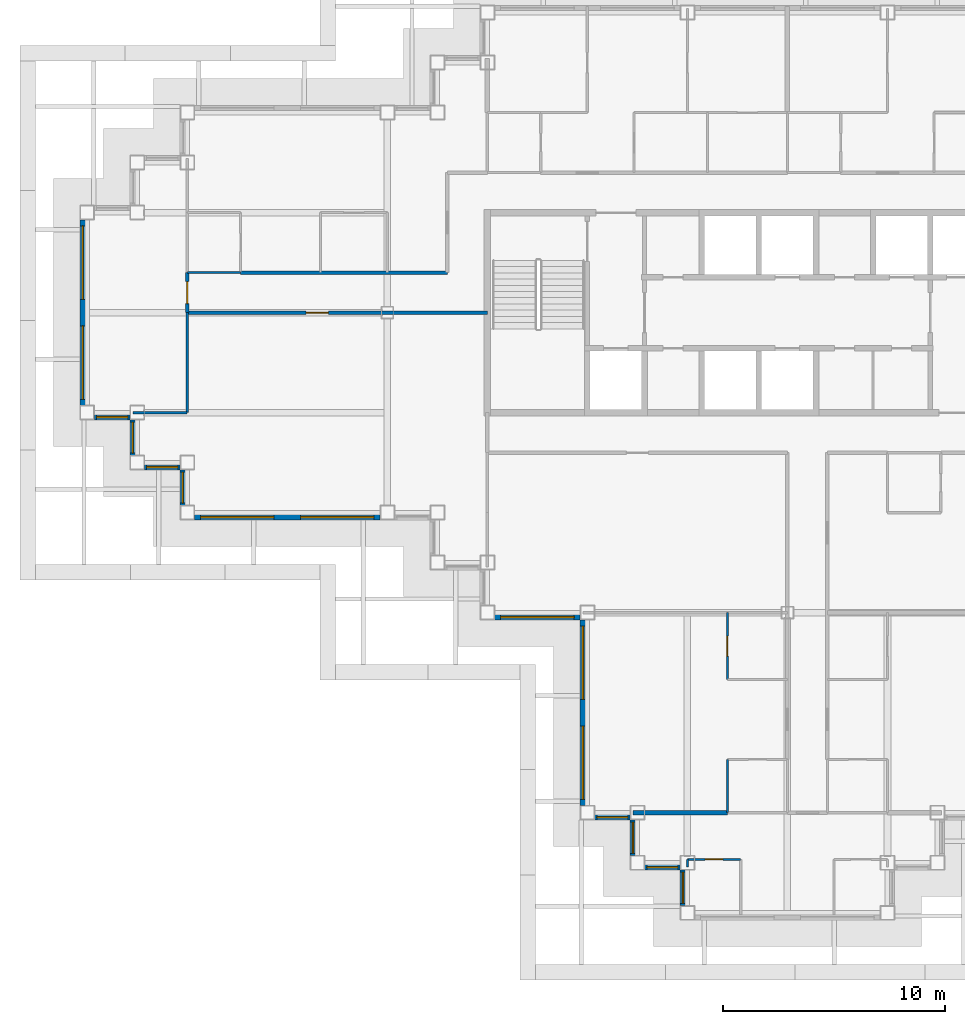
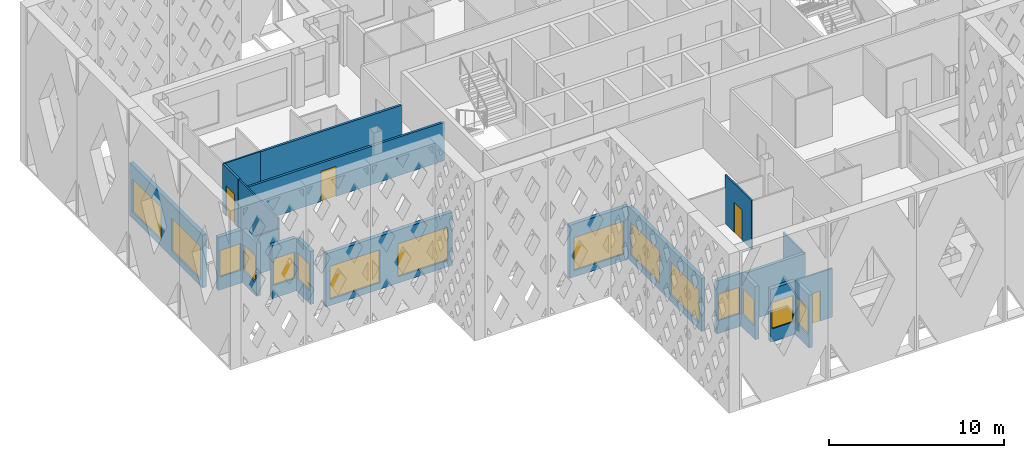
# One storey, part 2 of 17: 23 walls, 15 windows, 4 doors, 19 openings.
"""IFC4 building model written with IfcOpenShell, lengths in metres."""

from ifc_helpers import new_model, si_unit, direction, frame, frame_2d, origin, place, context, subcontext, project, spatial, rectangle, extrude, material, layer, layer_set, type_object, element, fill, save


model = new_model("IFC4")

# Units and contexts
model_context = context("Model", 3, precision=1e-05, world=origin(), true_north=direction((0.0, 1.0)))
body_context = subcontext(model_context, "Body", "Model", "MODEL_VIEW")
ifc_project = project(units=[si_unit("LENGTHUNIT", "METRE"), si_unit("AREAUNIT", "SQUARE_METRE"), si_unit("VOLUMEUNIT", "CUBIC_METRE"), si_unit("PLANEANGLEUNIT", "RADIAN"), si_unit("MASSUNIT", "GRAM", prefix="KILO")], contexts=[model_context])

# Site, building, storey
site_placement = place(None, origin())
site = spatial("IfcSite", under=ifc_project, at=site_placement, CompositionType="ELEMENT")
building_placement = place(site_placement, origin())
building = spatial("IfcBuilding", under=site, at=building_placement, Name="Caravel Reach Hotel and Residences", CompositionType="ELEMENT")
storey_placement = place(building_placement, frame((0.0, 0.0, 222.0)))
storey = spatial("IfcBuildingStorey", under=building, at=storey_placement, Name="L56", CompositionType="ELEMENT", Elevation=222.0)

# Wall, opening, door
ifc_material_1 = material(Name="Gypsum board on steel stud", Category="steel")
ifc_layer_1 = layer(ifc_material_1, 0.10009765625)
ifc_layer_set_1 = layer_set([ifc_layer_1], Name="Bathroom pod wall 100 mm")
wall_type_1 = type_object("IfcWallType", Name="Bathroom pod wall 100 mm", PredefinedType="PARTITIONING", material=ifc_layer_set_1)
wall_1_placement = place(storey_placement, frame((27.0, 2.39990234375, 0.0), z_axis=(0.0, 0.0, 1.0), x_axis=(1.0, 0.0, 0.0)))
wall_1 = element("IfcWall", 1, at=wall_1_placement, inside=storey, type_object=wall_type_1, Name="L56 wall w077", PredefinedType="PARTITIONING", context=body_context, shape_type="SweptSolid", body=[
    extrude(rectangle(XDim=2.39990234375, YDim=0.10009765625, at=frame_2d((1.199951171875, 0.0))), origin(), (0.0, 0.0, 1.0), 3.39990234375),
])
opening_1_placement = place(wall_1_placement, frame((0.800048828125, 0.0, 0.0)))
opening_1 = element("IfcOpeningElement", 2, at=opening_1_placement, cuts=wall_1, Name="Opening D56-048", PredefinedType="OPENING", context=body_context, shape_type="SweptSolid", body=[
    extrude(rectangle(XDim=0.800048828125, YDim=2.10009765625, at=frame_2d((0.39990234375, 1.050048828125))), frame((0.0, 0.06005859375, 0.0), z_axis=(0.0, -1.0, 0.0), x_axis=(1.0, 0.0, 0.0)), (0.0, 0.0, 1.0), 0.1201171875),
])
ifc_material_2 = material(Name="Timber and steel door leaf", Category="steel")
door_type_1 = type_object("IfcDoorType", Name="Bathroom door 800 x 2100", OperationType="SINGLE_SWING_LEFT", PredefinedType="DOOR", material=ifc_material_2)
door_1_placement = place(opening_1_placement, origin())
door_1 = element("IfcDoor", 3, at=door_1_placement, inside=storey, type_object=door_type_1, Name="door D56-048", OperationType="SINGLE_SWING_RIGHT", OverallHeight=2.10009765625, OverallWidth=0.800048828125, PredefinedType="DOOR", context=body_context, shape_type="SweptSolid", body=[
    extrude(rectangle(XDim=0.800048828125, YDim=2.10009765625, at=frame_2d((0.39990234375, 1.050048828125))), frame((0.0, 0.02490234375, 0.0), z_axis=(0.0, -1.0, 0.0), x_axis=(1.0, 0.0, 0.0)), (0.0, 0.0, 1.0), 0.050048828125),
])
fill(opening_1, door_1)

# Walls
wall_2_placement = place(storey_placement, frame((4.5, 28.800048828125, 0.0), z_axis=(0.0, 0.0, 1.0), x_axis=(1.0, 0.0, 0.0)))
element("IfcWall", 4, at=wall_2_placement, inside=storey, type_object=wall_type_1, Name="L56 wall w079", PredefinedType="PARTITIONING", context=body_context, shape_type="SweptSolid", body=[
    extrude(rectangle(XDim=2.39990234375, YDim=0.10009765625, at=frame_2d((1.199951171875, 0.0))), origin(), (0.0, 0.0, 1.0), 3.39990234375),
])
wall_3_placement = place(storey_placement, frame((27.0, 2.06005859375, 0.0), z_axis=(0.0, 0.0, 1.0), x_axis=(0.0, 1.0, 0.0)))
element("IfcWall", 5, at=wall_3_placement, inside=storey, type_object=wall_type_1, Name="L56 wall w092", PredefinedType="PARTITIONING", context=body_context, shape_type="SweptSolid", body=[
    extrude(rectangle(XDim=0.33984375, YDim=0.10009765625, at=frame_2d((0.169921875, 0.0))), origin(), (0.0, 0.0, 1.0), 3.39990234375),
])
wall_4_placement = place(storey_placement, frame((28.800048828125, 4.5, 0.0), z_axis=(0.0, 0.0, 1.0), x_axis=(0.0, 1.0, 0.0)))
element("IfcWall", 6, at=wall_4_placement, inside=storey, type_object=wall_type_1, Name="L56 wall w093", PredefinedType="PARTITIONING", context=body_context, shape_type="SweptSolid", body=[
    extrude(rectangle(XDim=2.39990234375, YDim=0.10009765625, at=frame_2d((1.199951171875, 0.0))), origin(), (0.0, 0.0, 1.0), 3.39990234375),
])

# Wall, opening, door
ifc_material_3 = material(Name="Gypsum board on steel stud, fire-rated", Category="steel")
ifc_layer_2 = layer(ifc_material_3, 0.14990234375)
ifc_layer_set_2 = layer_set([ifc_layer_2], Name="Corridor wall 150 mm EI 60")
wall_type_2 = type_object("IfcWallType", Name="Corridor wall 150 mm EI 60", PredefinedType="PARTITIONING", material=ifc_layer_set_2)
wall_5_placement = place(storey_placement, frame((4.5, 27.0, 0.0), z_axis=(0.0, 0.0, 1.0), x_axis=(1.0, 0.0, 0.0)))
wall_5 = element("IfcWall", 7, at=wall_5_placement, inside=storey, type_object=wall_type_2, Name="L56 wall w007", PredefinedType="PARTITIONING", context=body_context, shape_type="SweptSolid", body=[
    extrude(rectangle(XDim=13.5, YDim=0.14990234375, at=frame_2d((6.75, 0.0))), origin(), (0.0, 0.0, 1.0), 2.679931640625),
])
opening_2_placement = place(wall_5_placement, frame((5.35009765625, 0.0, 0.0)))
opening_2 = element("IfcOpeningElement", 8, at=opening_2_placement, cuts=wall_5, Name="Opening D56-032", PredefinedType="OPENING", context=body_context, shape_type="SweptSolid", body=[
    extrude(rectangle(XDim=1.0, YDim=2.10009765625, at=frame_2d((0.5, 1.050048828125))), frame((0.0, 0.0849609375, 0.0), z_axis=(0.0, -1.0, 0.0), x_axis=(1.0, 0.0, 0.0)), (0.0, 0.0, 1.0), 0.169921875),
])
ifc_material_4 = material(Name="Steel fire door leaf", Category="steel")
door_type_2 = type_object("IfcDoorType", Name="Fire door 1000 x 2100 EI 60", OperationType="SINGLE_SWING_LEFT", PredefinedType="DOOR", material=ifc_material_4)
door_2_placement = place(opening_2_placement, origin())
door_2 = element("IfcDoor", 9, at=door_2_placement, inside=storey, type_object=door_type_2, Name="door D56-032", OperationType="SINGLE_SWING_LEFT", OverallHeight=2.10009765625, OverallWidth=1.0, PredefinedType="DOOR", context=body_context, shape_type="SweptSolid", body=[
    extrude(rectangle(XDim=1.0, YDim=2.10009765625, at=frame_2d((0.5, 1.050048828125))), frame((0.0, 0.02490234375, 0.0), z_axis=(0.0, -1.0, 0.0), x_axis=(1.0, 0.0, 0.0)), (0.0, 0.0, 1.0), 0.050048828125),
])
fill(opening_2, door_2)

# Wall
wall_6_placement = place(storey_placement, frame((6.89990234375, 28.800048828125, 0.0), z_axis=(0.0, 0.0, 1.0), x_axis=(1.0, 0.0, 0.0)))
element("IfcWall", 10, at=wall_6_placement, inside=storey, type_object=wall_type_2, Name="L56 wall w008", PredefinedType="PARTITIONING", context=body_context, shape_type="SweptSolid", body=[
    extrude(rectangle(XDim=9.299072265625, YDim=0.14990234375, at=frame_2d((4.6494140625, 0.0))), origin(), (0.0, 0.0, 1.0), 3.39990234375),
])

# Wall, opening, door
wall_7_placement = place(storey_placement, frame((4.5, 27.0, 0.0), z_axis=(0.0, 0.0, 1.0), x_axis=(0.0, 1.0, 0.0)))
wall_7 = element("IfcWall", 11, at=wall_7_placement, inside=storey, type_object=wall_type_2, Name="L56 wall w027", PredefinedType="PARTITIONING", context=body_context, shape_type="SweptSolid", body=[
    extrude(rectangle(XDim=1.800048828125, YDim=0.14990234375, at=frame_2d((0.89990234375, 0.0))), origin(), (0.0, 0.0, 1.0), 3.39990234375),
])
opening_3_placement = place(wall_7_placement, frame((0.39990234375, 0.0, 0.0)))
opening_3 = element("IfcOpeningElement", 12, at=opening_3_placement, cuts=wall_7, Name="Opening D56-043", PredefinedType="OPENING", context=body_context, shape_type="SweptSolid", body=[
    extrude(rectangle(XDim=1.0, YDim=2.10009765625, at=frame_2d((0.5, 1.050048828125))), frame((0.0, 0.0849609375, 0.0), z_axis=(0.0, -1.0, 0.0), x_axis=(1.0, 0.0, 0.0)), (0.0, 0.0, 1.0), 0.169921875),
])
door_3_placement = place(opening_3_placement, origin())
door_3 = element("IfcDoor", 13, at=door_3_placement, inside=storey, type_object=door_type_2, Name="door D56-043", OperationType="SINGLE_SWING_LEFT", OverallHeight=2.10009765625, OverallWidth=1.0, PredefinedType="DOOR", context=body_context, shape_type="SweptSolid", body=[
    extrude(rectangle(XDim=1.0, YDim=2.10009765625, at=frame_2d((0.5, 1.050048828125))), frame((0.0, 0.02490234375, 0.0), z_axis=(0.0, -1.0, 0.0), x_axis=(1.0, 0.0, 0.0)), (0.0, 0.0, 1.0), 0.050048828125),
])
fill(opening_3, door_3)

# Wall, openings, windows
ifc_material_5 = material(Name="Insulated rainscreen wall, aluminium cladding", Category="aluminium")
ifc_layer_3 = layer(ifc_material_5, 0.25)
ifc_layer_set_3 = layer_set([ifc_layer_3], Name="EW1 Tower rainscreen wall")
wall_type_3 = type_object("IfcWallType", Name="EW1 Tower rainscreen wall", PredefinedType="SOLIDWALL", material=ifc_layer_set_3)
wall_8_placement = place(storey_placement, frame((-0.199951171875, 31.175048828125, 0.0), z_axis=(0.0, 0.0, 1.0), x_axis=(0.0, -1.0, 0.0)))
wall_8 = element("IfcWall", 14, at=wall_8_placement, inside=storey, type_object=wall_type_3, Name="External wall L56 W20.1", PredefinedType="SOLIDWALL", context=body_context, shape_type="SweptSolid", body=[
    extrude(rectangle(XDim=8.35009765625, YDim=0.25, at=frame_2d((4.175048828125, 0.0))), origin(), (0.0, 0.0, 1.0), 3.699951171875),
])
opening_4_placement = place(wall_8_placement, frame((0.27490234375, 0.0, 0.449951171875)))
opening_4 = element("IfcOpeningElement", 15, at=opening_4_placement, cuts=wall_8, Name="Opening WN15", PredefinedType="OPENING", context=body_context, shape_type="SweptSolid", body=[
    extrude(rectangle(XDim=3.300048828125, YDim=2.300048828125, at=frame_2d((1.64990234375, 1.14990234375))), frame((0.0, 0.135009765625, 0.0), z_axis=(0.0, -1.0, 0.0), x_axis=(1.0, 0.0, 0.0)), (0.0, 0.0, 1.0), 0.27001953125),
])
opening_5_placement = place(wall_8_placement, frame((4.77490234375, 0.0, 0.449951171875)))
opening_5 = element("IfcOpeningElement", 16, at=opening_5_placement, cuts=wall_8, Name="Opening WN15", PredefinedType="OPENING", context=body_context, shape_type="SweptSolid", body=[
    extrude(rectangle(XDim=3.300048828125, YDim=2.300048828125, at=frame_2d((1.64990234375, 1.14990234375))), frame((0.0, 0.135009765625, 0.0), z_axis=(0.0, -1.0, 0.0), x_axis=(1.0, 0.0, 0.0)), (0.0, 0.0, 1.0), 0.27001953125),
])
ifc_material_6 = material(Name="Dark low-e glazing in black aluminium frame", Category="aluminium")
window_type_1 = type_object("IfcWindowType", Name="Residence living window 3300 x 2300", PartitioningType="SINGLE_PANEL", PredefinedType="WINDOW", material=ifc_material_6)
window_1_placement = place(opening_4_placement, origin())
window_1 = element("IfcWindow", 17, at=window_1_placement, inside=storey, type_object=window_type_1, Name="Window L56 W20.1.1", OverallHeight=2.300048828125, OverallWidth=3.300048828125, PartitioningType="SINGLE_PANEL", PredefinedType="WINDOW", context=body_context, shape_type="SweptSolid", body=[
    extrude(rectangle(XDim=3.300048828125, YDim=2.300048828125, at=frame_2d((1.64990234375, 1.14990234375))), frame((0.0, 0.030029296875, 0.0), z_axis=(0.0, -1.0, 0.0), x_axis=(1.0, 0.0, 0.0)), (0.0, 0.0, 1.0), 0.06005859375),
])
fill(opening_4, window_1)
window_2_placement = place(opening_5_placement, origin())
window_2 = element("IfcWindow", 18, at=window_2_placement, inside=storey, type_object=window_type_1, Name="Window L56 W20.1.2", OverallHeight=2.300048828125, OverallWidth=3.300048828125, PartitioningType="SINGLE_PANEL", PredefinedType="WINDOW", context=body_context, shape_type="SweptSolid", body=[
    extrude(rectangle(XDim=3.300048828125, YDim=2.300048828125, at=frame_2d((1.64990234375, 1.14990234375))), frame((0.0, 0.030029296875, 0.0), z_axis=(0.0, -1.0, 0.0), x_axis=(1.0, 0.0, 0.0)), (0.0, 0.0, 1.0), 0.06005859375),
])
fill(opening_5, window_2)

# Wall, opening, window
wall_9_placement = place(storey_placement, frame((0.324951171875, 22.300048828125, 0.0), z_axis=(0.0, 0.0, 1.0), x_axis=(1.0, 0.0, 0.0)))
wall_9 = element("IfcWall", 19, at=wall_9_placement, inside=storey, type_object=wall_type_3, Name="External wall L56 S21.1", PredefinedType="SOLIDWALL", context=body_context, shape_type="SweptSolid", body=[
    extrude(rectangle(XDim=1.60009765625, YDim=0.25, at=frame_2d((0.800048828125, 0.0))), origin(), (0.0, 0.0, 1.0), 3.699951171875),
])
opening_6_placement = place(wall_9_placement, frame((0.10009765625, 0.0, 0.89990234375)))
opening_6 = element("IfcOpeningElement", 20, at=opening_6_placement, cuts=wall_9, Name="Opening WN22", PredefinedType="OPENING", context=body_context, shape_type="SweptSolid", body=[
    extrude(rectangle(XDim=1.39990234375, YDim=1.85009765625, at=frame_2d((0.699951171875, 0.925048828125))), frame((0.0, 0.135009765625, 0.0), z_axis=(0.0, -1.0, 0.0), x_axis=(1.0, 0.0, 0.0)), (0.0, 0.0, 1.0), 0.27001953125),
])
ifc_material_7 = material(Name="Dark low-e glazing in black aluminium frame", Category="aluminium")
window_type_2 = type_object("IfcWindowType", Name="Residence bedroom window 1400 x 1850", PartitioningType="SINGLE_PANEL", PredefinedType="WINDOW", material=ifc_material_7)
window_3_placement = place(opening_6_placement, origin())
window_3 = element("IfcWindow", 21, at=window_3_placement, inside=storey, type_object=window_type_2, Name="Window L56 S21.1.1", OverallHeight=1.85009765625, OverallWidth=1.39990234375, PartitioningType="SINGLE_PANEL", PredefinedType="WINDOW", context=body_context, shape_type="SweptSolid", body=[
    extrude(rectangle(XDim=1.39990234375, YDim=1.85009765625, at=frame_2d((0.699951171875, 0.925048828125))), frame((0.0, 0.030029296875, 0.0), z_axis=(0.0, -1.0, 0.0), x_axis=(1.0, 0.0, 0.0)), (0.0, 0.0, 1.0), 0.06005859375),
])
fill(opening_6, window_3)

wall_10_placement = place(storey_placement, frame((2.050048828125, 22.175048828125, 0.0), z_axis=(0.0, 0.0, 1.0), x_axis=(0.0, -1.0, 0.0)))
wall_10 = element("IfcWall", 22, at=wall_10_placement, inside=storey, type_object=wall_type_3, Name="External wall L56 W22.1", PredefinedType="SOLIDWALL", context=body_context, shape_type="SweptSolid", body=[
    extrude(rectangle(XDim=1.60009765625, YDim=0.25, at=frame_2d((0.800048828125, 0.0))), origin(), (0.0, 0.0, 1.0), 3.699951171875),
])
opening_7_placement = place(wall_10_placement, frame((0.10009765625, 0.0, 0.89990234375)))
opening_7 = element("IfcOpeningElement", 23, at=opening_7_placement, cuts=wall_10, Name="Opening WN22", PredefinedType="OPENING", context=body_context, shape_type="SweptSolid", body=[
    extrude(rectangle(XDim=1.39990234375, YDim=1.85009765625, at=frame_2d((0.699951171875, 0.925048828125))), frame((0.0, 0.135009765625, 0.0), z_axis=(0.0, -1.0, 0.0), x_axis=(1.0, 0.0, 0.0)), (0.0, 0.0, 1.0), 0.27001953125),
])
window_4_placement = place(opening_7_placement, origin())
window_4 = element("IfcWindow", 24, at=window_4_placement, inside=storey, type_object=window_type_2, Name="Window L56 W22.1.1", OverallHeight=1.85009765625, OverallWidth=1.39990234375, PartitioningType="SINGLE_PANEL", PredefinedType="WINDOW", context=body_context, shape_type="SweptSolid", body=[
    extrude(rectangle(XDim=1.39990234375, YDim=1.85009765625, at=frame_2d((0.699951171875, 0.925048828125))), frame((0.0, 0.030029296875, 0.0), z_axis=(0.0, -1.0, 0.0), x_axis=(1.0, 0.0, 0.0)), (0.0, 0.0, 1.0), 0.06005859375),
])
fill(opening_7, window_4)

wall_11_placement = place(storey_placement, frame((2.574951171875, 20.050048828125, 0.0), z_axis=(0.0, 0.0, 1.0), x_axis=(1.0, 0.0, 0.0)))
wall_11 = element("IfcWall", 25, at=wall_11_placement, inside=storey, type_object=wall_type_3, Name="External wall L56 S23.1", PredefinedType="SOLIDWALL", context=body_context, shape_type="SweptSolid", body=[
    extrude(rectangle(XDim=1.60009765625, YDim=0.25, at=frame_2d((0.800048828125, 0.0))), origin(), (0.0, 0.0, 1.0), 3.699951171875),
])
opening_8_placement = place(wall_11_placement, frame((0.10009765625, 0.0, 0.89990234375)))
opening_8 = element("IfcOpeningElement", 26, at=opening_8_placement, cuts=wall_11, Name="Opening WN22", PredefinedType="OPENING", context=body_context, shape_type="SweptSolid", body=[
    extrude(rectangle(XDim=1.39990234375, YDim=1.85009765625, at=frame_2d((0.699951171875, 0.925048828125))), frame((0.0, 0.135009765625, 0.0), z_axis=(0.0, -1.0, 0.0), x_axis=(1.0, 0.0, 0.0)), (0.0, 0.0, 1.0), 0.27001953125),
])
window_5_placement = place(opening_8_placement, origin())
window_5 = element("IfcWindow", 27, at=window_5_placement, inside=storey, type_object=window_type_2, Name="Window L56 S23.1.1", OverallHeight=1.85009765625, OverallWidth=1.39990234375, PartitioningType="SINGLE_PANEL", PredefinedType="WINDOW", context=body_context, shape_type="SweptSolid", body=[
    extrude(rectangle(XDim=1.39990234375, YDim=1.85009765625, at=frame_2d((0.699951171875, 0.925048828125))), frame((0.0, 0.030029296875, 0.0), z_axis=(0.0, -1.0, 0.0), x_axis=(1.0, 0.0, 0.0)), (0.0, 0.0, 1.0), 0.06005859375),
])
fill(opening_8, window_5)

wall_12_placement = place(storey_placement, frame((4.300048828125, 19.925048828125, 0.0), z_axis=(0.0, 0.0, 1.0), x_axis=(0.0, -1.0, 0.0)))
wall_12 = element("IfcWall", 28, at=wall_12_placement, inside=storey, type_object=wall_type_3, Name="External wall L56 W24.1", PredefinedType="SOLIDWALL", context=body_context, shape_type="SweptSolid", body=[
    extrude(rectangle(XDim=1.60009765625, YDim=0.25, at=frame_2d((0.800048828125, 0.0))), origin(), (0.0, 0.0, 1.0), 3.699951171875),
])
opening_9_placement = place(wall_12_placement, frame((0.10009765625, 0.0, 0.89990234375)))
opening_9 = element("IfcOpeningElement", 29, at=opening_9_placement, cuts=wall_12, Name="Opening WN22", PredefinedType="OPENING", context=body_context, shape_type="SweptSolid", body=[
    extrude(rectangle(XDim=1.39990234375, YDim=1.85009765625, at=frame_2d((0.699951171875, 0.925048828125))), frame((0.0, 0.135009765625, 0.0), z_axis=(0.0, -1.0, 0.0), x_axis=(1.0, 0.0, 0.0)), (0.0, 0.0, 1.0), 0.27001953125),
])
window_6_placement = place(opening_9_placement, origin())
window_6 = element("IfcWindow", 30, at=window_6_placement, inside=storey, type_object=window_type_2, Name="Window L56 W24.1.1", OverallHeight=1.85009765625, OverallWidth=1.39990234375, PartitioningType="SINGLE_PANEL", PredefinedType="WINDOW", context=body_context, shape_type="SweptSolid", body=[
    extrude(rectangle(XDim=1.39990234375, YDim=1.85009765625, at=frame_2d((0.699951171875, 0.925048828125))), frame((0.0, 0.030029296875, 0.0), z_axis=(0.0, -1.0, 0.0), x_axis=(1.0, 0.0, 0.0)), (0.0, 0.0, 1.0), 0.06005859375),
])
fill(opening_9, window_6)

# Wall, openings, windows
wall_13_placement = place(storey_placement, frame((4.824951171875, 17.800048828125, 0.0), z_axis=(0.0, 0.0, 1.0), x_axis=(1.0, 0.0, 0.0)))
wall_13 = element("IfcWall", 31, at=wall_13_placement, inside=storey, type_object=wall_type_3, Name="External wall L56 S25.1", PredefinedType="SOLIDWALL", context=body_context, shape_type="SweptSolid", body=[
    extrude(rectangle(XDim=8.35009765625, YDim=0.25, at=frame_2d((4.175048828125, 0.0))), origin(), (0.0, 0.0, 1.0), 3.699951171875),
])
opening_10_placement = place(wall_13_placement, frame((0.27490234375, 0.0, 0.449951171875)))
opening_10 = element("IfcOpeningElement", 32, at=opening_10_placement, cuts=wall_13, Name="Opening WN15", PredefinedType="OPENING", context=body_context, shape_type="SweptSolid", body=[
    extrude(rectangle(XDim=3.300048828125, YDim=2.300048828125, at=frame_2d((1.64990234375, 1.14990234375))), frame((0.0, 0.135009765625, 0.0), z_axis=(0.0, -1.0, 0.0), x_axis=(1.0, 0.0, 0.0)), (0.0, 0.0, 1.0), 0.27001953125),
])
opening_11_placement = place(wall_13_placement, frame((4.77490234375, 0.0, 0.449951171875)))
opening_11 = element("IfcOpeningElement", 33, at=opening_11_placement, cuts=wall_13, Name="Opening WN15", PredefinedType="OPENING", context=body_context, shape_type="SweptSolid", body=[
    extrude(rectangle(XDim=3.300048828125, YDim=2.300048828125, at=frame_2d((1.64990234375, 1.14990234375))), frame((0.0, 0.135009765625, 0.0), z_axis=(0.0, -1.0, 0.0), x_axis=(1.0, 0.0, 0.0)), (0.0, 0.0, 1.0), 0.27001953125),
])
window_7_placement = place(opening_10_placement, origin())
window_7 = element("IfcWindow", 34, at=window_7_placement, inside=storey, type_object=window_type_1, Name="Window L56 S25.1.1", OverallHeight=2.300048828125, OverallWidth=3.300048828125, PartitioningType="SINGLE_PANEL", PredefinedType="WINDOW", context=body_context, shape_type="SweptSolid", body=[
    extrude(rectangle(XDim=3.300048828125, YDim=2.300048828125, at=frame_2d((1.64990234375, 1.14990234375))), frame((0.0, 0.030029296875, 0.0), z_axis=(0.0, -1.0, 0.0), x_axis=(1.0, 0.0, 0.0)), (0.0, 0.0, 1.0), 0.06005859375),
])
fill(opening_10, window_7)
window_8_placement = place(opening_11_placement, origin())
window_8 = element("IfcWindow", 35, at=window_8_placement, inside=storey, type_object=window_type_1, Name="Window L56 S25.1.2", OverallHeight=2.300048828125, OverallWidth=3.300048828125, PartitioningType="SINGLE_PANEL", PredefinedType="WINDOW", context=body_context, shape_type="SweptSolid", body=[
    extrude(rectangle(XDim=3.300048828125, YDim=2.300048828125, at=frame_2d((1.64990234375, 1.14990234375))), frame((0.0, 0.030029296875, 0.0), z_axis=(0.0, -1.0, 0.0), x_axis=(1.0, 0.0, 0.0)), (0.0, 0.0, 1.0), 0.06005859375),
])
fill(opening_11, window_8)

# Wall, opening, window
wall_14_placement = place(storey_placement, frame((18.324951171875, 13.300048828125, 0.0), z_axis=(0.0, 0.0, 1.0), x_axis=(1.0, 0.0, 0.0)))
wall_14 = element("IfcWall", 36, at=wall_14_placement, inside=storey, type_object=wall_type_3, Name="External wall L56 S29.1", PredefinedType="SOLIDWALL", context=body_context, shape_type="SweptSolid", body=[
    extrude(rectangle(XDim=3.85009765625, YDim=0.25, at=frame_2d((1.925048828125, 0.0))), origin(), (0.0, 0.0, 1.0), 3.699951171875),
])
opening_12_placement = place(wall_14_placement, frame((0.27490234375, 0.0, 0.449951171875)))
opening_12 = element("IfcOpeningElement", 37, at=opening_12_placement, cuts=wall_14, Name="Opening WN15", PredefinedType="OPENING", context=body_context, shape_type="SweptSolid", body=[
    extrude(rectangle(XDim=3.300048828125, YDim=2.300048828125, at=frame_2d((1.64990234375, 1.14990234375))), frame((0.0, 0.135009765625, 0.0), z_axis=(0.0, -1.0, 0.0), x_axis=(1.0, 0.0, 0.0)), (0.0, 0.0, 1.0), 0.27001953125),
])
window_9_placement = place(opening_12_placement, origin())
window_9 = element("IfcWindow", 38, at=window_9_placement, inside=storey, type_object=window_type_1, Name="Window L56 S29.1.1", OverallHeight=2.300048828125, OverallWidth=3.300048828125, PartitioningType="SINGLE_PANEL", PredefinedType="WINDOW", context=body_context, shape_type="SweptSolid", body=[
    extrude(rectangle(XDim=3.300048828125, YDim=2.300048828125, at=frame_2d((1.64990234375, 1.14990234375))), frame((0.0, 0.030029296875, 0.0), z_axis=(0.0, -1.0, 0.0), x_axis=(1.0, 0.0, 0.0)), (0.0, 0.0, 1.0), 0.06005859375),
])
fill(opening_12, window_9)

# Wall, openings, windows
wall_15_placement = place(storey_placement, frame((22.300048828125, 13.175048828125, 0.0), z_axis=(0.0, 0.0, 1.0), x_axis=(0.0, -1.0, 0.0)))
wall_15 = element("IfcWall", 39, at=wall_15_placement, inside=storey, type_object=wall_type_3, Name="External wall L56 W30.1", PredefinedType="SOLIDWALL", context=body_context, shape_type="SweptSolid", body=[
    extrude(rectangle(XDim=8.35009765625, YDim=0.25, at=frame_2d((4.175048828125, 0.0))), origin(), (0.0, 0.0, 1.0), 3.699951171875),
])
opening_13_placement = place(wall_15_placement, frame((0.27490234375, 0.0, 0.449951171875)))
opening_13 = element("IfcOpeningElement", 40, at=opening_13_placement, cuts=wall_15, Name="Opening WN15", PredefinedType="OPENING", context=body_context, shape_type="SweptSolid", body=[
    extrude(rectangle(XDim=3.300048828125, YDim=2.300048828125, at=frame_2d((1.64990234375, 1.14990234375))), frame((0.0, 0.135009765625, 0.0), z_axis=(0.0, -1.0, 0.0), x_axis=(1.0, 0.0, 0.0)), (0.0, 0.0, 1.0), 0.27001953125),
])
opening_14_placement = place(wall_15_placement, frame((4.77490234375, 0.0, 0.449951171875)))
opening_14 = element("IfcOpeningElement", 41, at=opening_14_placement, cuts=wall_15, Name="Opening WN15", PredefinedType="OPENING", context=body_context, shape_type="SweptSolid", body=[
    extrude(rectangle(XDim=3.300048828125, YDim=2.300048828125, at=frame_2d((1.64990234375, 1.14990234375))), frame((0.0, 0.135009765625, 0.0), z_axis=(0.0, -1.0, 0.0), x_axis=(1.0, 0.0, 0.0)), (0.0, 0.0, 1.0), 0.27001953125),
])
window_10_placement = place(opening_13_placement, origin())
window_10 = element("IfcWindow", 42, at=window_10_placement, inside=storey, type_object=window_type_1, Name="Window L56 W30.1.1", OverallHeight=2.300048828125, OverallWidth=3.300048828125, PartitioningType="SINGLE_PANEL", PredefinedType="WINDOW", context=body_context, shape_type="SweptSolid", body=[
    extrude(rectangle(XDim=3.300048828125, YDim=2.300048828125, at=frame_2d((1.64990234375, 1.14990234375))), frame((0.0, 0.030029296875, 0.0), z_axis=(0.0, -1.0, 0.0), x_axis=(1.0, 0.0, 0.0)), (0.0, 0.0, 1.0), 0.06005859375),
])
fill(opening_13, window_10)
window_11_placement = place(opening_14_placement, origin())
window_11 = element("IfcWindow", 43, at=window_11_placement, inside=storey, type_object=window_type_1, Name="Window L56 W30.1.2", OverallHeight=2.300048828125, OverallWidth=3.300048828125, PartitioningType="SINGLE_PANEL", PredefinedType="WINDOW", context=body_context, shape_type="SweptSolid", body=[
    extrude(rectangle(XDim=3.300048828125, YDim=2.300048828125, at=frame_2d((1.64990234375, 1.14990234375))), frame((0.0, 0.030029296875, 0.0), z_axis=(0.0, -1.0, 0.0), x_axis=(1.0, 0.0, 0.0)), (0.0, 0.0, 1.0), 0.06005859375),
])
fill(opening_14, window_11)

# Wall, opening, window
wall_16_placement = place(storey_placement, frame((22.824951171875, 4.300048828125, 0.0), z_axis=(0.0, 0.0, 1.0), x_axis=(1.0, 0.0, 0.0)))
wall_16 = element("IfcWall", 44, at=wall_16_placement, inside=storey, type_object=wall_type_3, Name="External wall L56 S31.1", PredefinedType="SOLIDWALL", context=body_context, shape_type="SweptSolid", body=[
    extrude(rectangle(XDim=1.60009765625, YDim=0.25, at=frame_2d((0.800048828125, 0.0))), origin(), (0.0, 0.0, 1.0), 3.699951171875),
])
opening_15_placement = place(wall_16_placement, frame((0.10009765625, 0.0, 0.89990234375)))
opening_15 = element("IfcOpeningElement", 45, at=opening_15_placement, cuts=wall_16, Name="Opening WN22", PredefinedType="OPENING", context=body_context, shape_type="SweptSolid", body=[
    extrude(rectangle(XDim=1.39990234375, YDim=1.85009765625, at=frame_2d((0.699951171875, 0.925048828125))), frame((0.0, 0.135009765625, 0.0), z_axis=(0.0, -1.0, 0.0), x_axis=(1.0, 0.0, 0.0)), (0.0, 0.0, 1.0), 0.27001953125),
])
window_12_placement = place(opening_15_placement, origin())
window_12 = element("IfcWindow", 46, at=window_12_placement, inside=storey, type_object=window_type_2, Name="Window L56 S31.1.1", OverallHeight=1.85009765625, OverallWidth=1.39990234375, PartitioningType="SINGLE_PANEL", PredefinedType="WINDOW", context=body_context, shape_type="SweptSolid", body=[
    extrude(rectangle(XDim=1.39990234375, YDim=1.85009765625, at=frame_2d((0.699951171875, 0.925048828125))), frame((0.0, 0.030029296875, 0.0), z_axis=(0.0, -1.0, 0.0), x_axis=(1.0, 0.0, 0.0)), (0.0, 0.0, 1.0), 0.06005859375),
])
fill(opening_15, window_12)

wall_17_placement = place(storey_placement, frame((24.550048828125, 4.175048828125, 0.0), z_axis=(0.0, 0.0, 1.0), x_axis=(0.0, -1.0, 0.0)))
wall_17 = element("IfcWall", 47, at=wall_17_placement, inside=storey, type_object=wall_type_3, Name="External wall L56 W32.1", PredefinedType="SOLIDWALL", context=body_context, shape_type="SweptSolid", body=[
    extrude(rectangle(XDim=1.60009765625, YDim=0.25, at=frame_2d((0.800048828125, 0.0))), origin(), (0.0, 0.0, 1.0), 3.699951171875),
])
opening_16_placement = place(wall_17_placement, frame((0.10009765625, 0.0, 0.89990234375)))
opening_16 = element("IfcOpeningElement", 48, at=opening_16_placement, cuts=wall_17, Name="Opening WN22", PredefinedType="OPENING", context=body_context, shape_type="SweptSolid", body=[
    extrude(rectangle(XDim=1.39990234375, YDim=1.85009765625, at=frame_2d((0.699951171875, 0.925048828125))), frame((0.0, 0.135009765625, 0.0), z_axis=(0.0, -1.0, 0.0), x_axis=(1.0, 0.0, 0.0)), (0.0, 0.0, 1.0), 0.27001953125),
])
window_13_placement = place(opening_16_placement, origin())
window_13 = element("IfcWindow", 49, at=window_13_placement, inside=storey, type_object=window_type_2, Name="Window L56 W32.1.1", OverallHeight=1.85009765625, OverallWidth=1.39990234375, PartitioningType="SINGLE_PANEL", PredefinedType="WINDOW", context=body_context, shape_type="SweptSolid", body=[
    extrude(rectangle(XDim=1.39990234375, YDim=1.85009765625, at=frame_2d((0.699951171875, 0.925048828125))), frame((0.0, 0.030029296875, 0.0), z_axis=(0.0, -1.0, 0.0), x_axis=(1.0, 0.0, 0.0)), (0.0, 0.0, 1.0), 0.06005859375),
])
fill(opening_16, window_13)

wall_18_placement = place(storey_placement, frame((25.074951171875, 2.050048828125, 0.0), z_axis=(0.0, 0.0, 1.0), x_axis=(1.0, 0.0, 0.0)))
wall_18 = element("IfcWall", 50, at=wall_18_placement, inside=storey, type_object=wall_type_3, Name="External wall L56 S33.1", PredefinedType="SOLIDWALL", context=body_context, shape_type="SweptSolid", body=[
    extrude(rectangle(XDim=1.60009765625, YDim=0.25, at=frame_2d((0.800048828125, 0.0))), origin(), (0.0, 0.0, 1.0), 3.699951171875),
])
opening_17_placement = place(wall_18_placement, frame((0.10009765625, 0.0, 0.89990234375)))
opening_17 = element("IfcOpeningElement", 51, at=opening_17_placement, cuts=wall_18, Name="Opening WN22", PredefinedType="OPENING", context=body_context, shape_type="SweptSolid", body=[
    extrude(rectangle(XDim=1.39990234375, YDim=1.85009765625, at=frame_2d((0.699951171875, 0.925048828125))), frame((0.0, 0.135009765625, 0.0), z_axis=(0.0, -1.0, 0.0), x_axis=(1.0, 0.0, 0.0)), (0.0, 0.0, 1.0), 0.27001953125),
])
window_14_placement = place(opening_17_placement, origin())
window_14 = element("IfcWindow", 52, at=window_14_placement, inside=storey, type_object=window_type_2, Name="Window L56 S33.1.1", OverallHeight=1.85009765625, OverallWidth=1.39990234375, PartitioningType="SINGLE_PANEL", PredefinedType="WINDOW", context=body_context, shape_type="SweptSolid", body=[
    extrude(rectangle(XDim=1.39990234375, YDim=1.85009765625, at=frame_2d((0.699951171875, 0.925048828125))), frame((0.0, 0.030029296875, 0.0), z_axis=(0.0, -1.0, 0.0), x_axis=(1.0, 0.0, 0.0)), (0.0, 0.0, 1.0), 0.06005859375),
])
fill(opening_17, window_14)

wall_19_placement = place(storey_placement, frame((26.800048828125, 1.925048828125, 0.0), z_axis=(0.0, 0.0, 1.0), x_axis=(0.0, -1.0, 0.0)))
wall_19 = element("IfcWall", 53, at=wall_19_placement, inside=storey, type_object=wall_type_3, Name="External wall L56 W34.1", PredefinedType="SOLIDWALL", context=body_context, shape_type="SweptSolid", body=[
    extrude(rectangle(XDim=1.60009765625, YDim=0.25, at=frame_2d((0.800048828125, 0.0))), origin(), (0.0, 0.0, 1.0), 3.699951171875),
])
opening_18_placement = place(wall_19_placement, frame((0.10009765625, 0.0, 0.89990234375)))
opening_18 = element("IfcOpeningElement", 54, at=opening_18_placement, cuts=wall_19, Name="Opening WN22", PredefinedType="OPENING", context=body_context, shape_type="SweptSolid", body=[
    extrude(rectangle(XDim=1.39990234375, YDim=1.85009765625, at=frame_2d((0.699951171875, 0.925048828125))), frame((0.0, 0.135009765625, 0.0), z_axis=(0.0, -1.0, 0.0), x_axis=(1.0, 0.0, 0.0)), (0.0, 0.0, 1.0), 0.27001953125),
])
window_15_placement = place(opening_18_placement, origin())
window_15 = element("IfcWindow", 55, at=window_15_placement, inside=storey, type_object=window_type_2, Name="Window L56 W34.1.1", OverallHeight=1.85009765625, OverallWidth=1.39990234375, PartitioningType="SINGLE_PANEL", PredefinedType="WINDOW", context=body_context, shape_type="SweptSolid", body=[
    extrude(rectangle(XDim=1.39990234375, YDim=1.85009765625, at=frame_2d((0.699951171875, 0.925048828125))), frame((0.0, 0.030029296875, 0.0), z_axis=(0.0, -1.0, 0.0), x_axis=(1.0, 0.0, 0.0)), (0.0, 0.0, 1.0), 0.06005859375),
])
fill(opening_18, window_15)

# Wall
ifc_material_8 = material(Name="Gypsum board on steel stud", Category="steel")
ifc_layer_4 = layer(ifc_material_8, 0.10009765625)
ifc_layer_set_4 = layer_set([ifc_layer_4], Name="Partition 100 mm")
wall_type_4 = type_object("IfcWallType", Name="Partition 100 mm", PredefinedType="PARTITIONING", material=ifc_layer_set_4)
wall_20_placement = place(storey_placement, frame((2.06005859375, 22.5, 0.0), z_axis=(0.0, 0.0, 1.0), x_axis=(1.0, 0.0, 0.0)))
element("IfcWall", 56, at=wall_20_placement, inside=storey, type_object=wall_type_4, Name="L56 wall w035", PredefinedType="PARTITIONING", context=body_context, shape_type="SweptSolid", body=[
    extrude(rectangle(XDim=2.43896484375, YDim=0.10009765625, at=frame_2d((1.219482421875, 0.0))), origin(), (0.0, 0.0, 1.0), 2.679931640625),
])

# Wall, opening, door
wall_21_placement = place(storey_placement, frame((28.800048828125, 10.5, 0.0), z_axis=(0.0, 0.0, 1.0), x_axis=(0.0, 1.0, 0.0)))
wall_21 = element("IfcWall", 57, at=wall_21_placement, inside=storey, type_object=wall_type_4, Name="L56 wall w055", PredefinedType="PARTITIONING", context=body_context, shape_type="SweptSolid", body=[
    extrude(rectangle(XDim=3.0, YDim=0.10009765625, at=frame_2d((1.5, 0.0))), origin(), (0.0, 0.0, 1.0), 3.39990234375),
])
opening_19_placement = place(wall_21_placement, frame((1.050048828125, 0.0, 0.0)))
opening_19 = element("IfcOpeningElement", 58, at=opening_19_placement, cuts=wall_21, Name="Opening D56-039", PredefinedType="OPENING", context=body_context, shape_type="SweptSolid", body=[
    extrude(rectangle(XDim=0.89990234375, YDim=2.10009765625, at=frame_2d((0.449951171875, 1.050048828125))), frame((0.0, 0.06005859375, 0.0), z_axis=(0.0, -1.0, 0.0), x_axis=(1.0, 0.0, 0.0)), (0.0, 0.0, 1.0), 0.1201171875),
])
ifc_material_9 = material(Name="Timber and steel door leaf", Category="steel")
door_type_3 = type_object("IfcDoorType", Name="Door 900 x 2100 timber", OperationType="SINGLE_SWING_LEFT", PredefinedType="DOOR", material=ifc_material_9)
door_4_placement = place(opening_19_placement, origin())
door_4 = element("IfcDoor", 59, at=door_4_placement, inside=storey, type_object=door_type_3, Name="door D56-039", OperationType="SINGLE_SWING_RIGHT", OverallHeight=2.10009765625, OverallWidth=0.89990234375, PredefinedType="DOOR", context=body_context, shape_type="SweptSolid", body=[
    extrude(rectangle(XDim=0.89990234375, YDim=2.10009765625, at=frame_2d((0.449951171875, 1.050048828125))), frame((0.0, 0.02490234375, 0.0), z_axis=(0.0, -1.0, 0.0), x_axis=(1.0, 0.0, 0.0)), (0.0, 0.0, 1.0), 0.050048828125),
])
fill(opening_19, door_4)

# Walls
wall_22_placement = place(storey_placement, frame((4.5, 22.5, 0.0), z_axis=(0.0, 0.0, 1.0), x_axis=(0.0, 1.0, 0.0)))
element("IfcWall", 60, at=wall_22_placement, inside=storey, type_object=wall_type_4, Name="L56 wall w062", PredefinedType="PARTITIONING", context=body_context, shape_type="SweptSolid", body=[
    extrude(rectangle(XDim=4.5, YDim=0.10009765625, at=frame_2d((2.25, 0.0))), origin(), (0.0, 0.0, 1.0), 3.39990234375),
])
ifc_material_10 = material(Name="Autoclaved aerated block wall")
ifc_layer_5 = layer(ifc_material_10, 0.199951171875)
ifc_layer_set_5 = layer_set([ifc_layer_5], Name="Party wall 200 mm EI 60")
wall_type_5 = type_object("IfcWallType", Name="Party wall 200 mm EI 60", PredefinedType="PARTITIONING", material=ifc_layer_set_5)
wall_23_placement = place(storey_placement, frame((24.56005859375, 4.5, 0.0), z_axis=(0.0, 0.0, 1.0), x_axis=(1.0, 0.0, 0.0)))
element("IfcWall", 61, at=wall_23_placement, inside=storey, type_object=wall_type_5, Name="L56 wall w071", PredefinedType="PARTITIONING", context=body_context, shape_type="SweptSolid", body=[
    extrude(rectangle(XDim=4.239990234375, YDim=0.199951171875, at=frame_2d((2.1201171875, 0.0))), origin(), (0.0, 0.0, 1.0), 3.39990234375),
])

save(model, "model.ifc")
